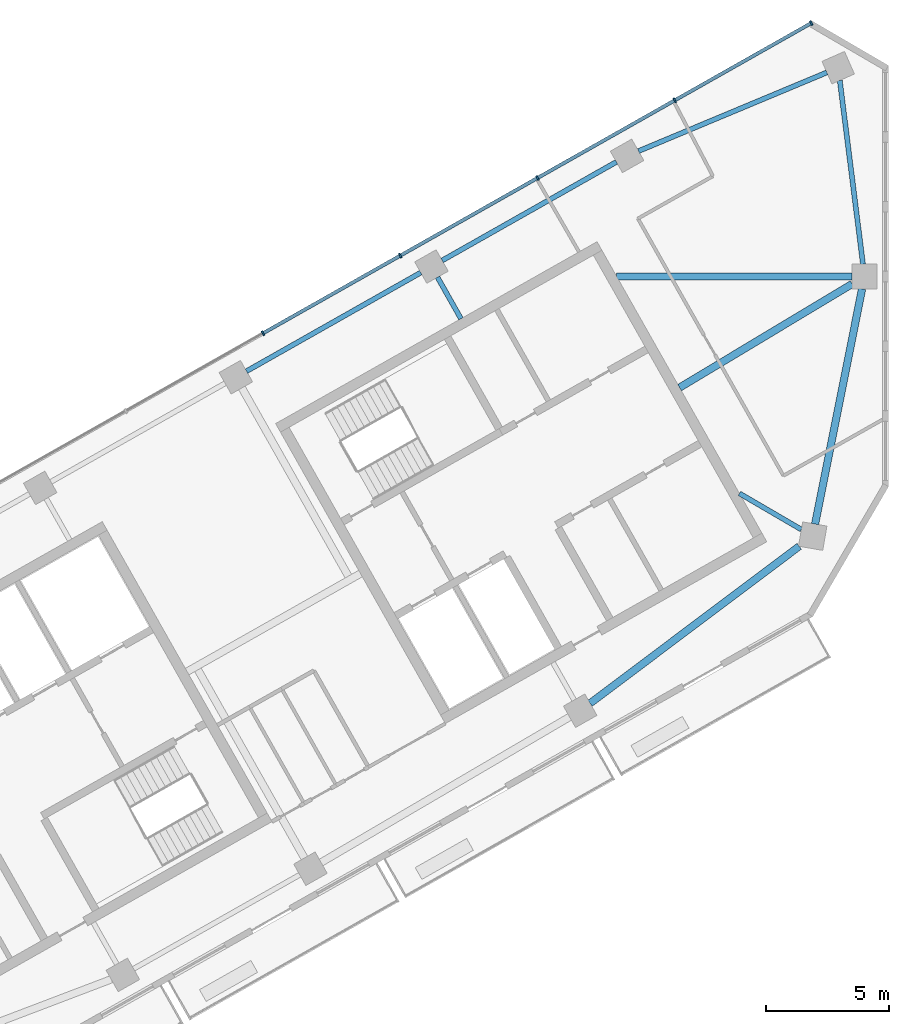
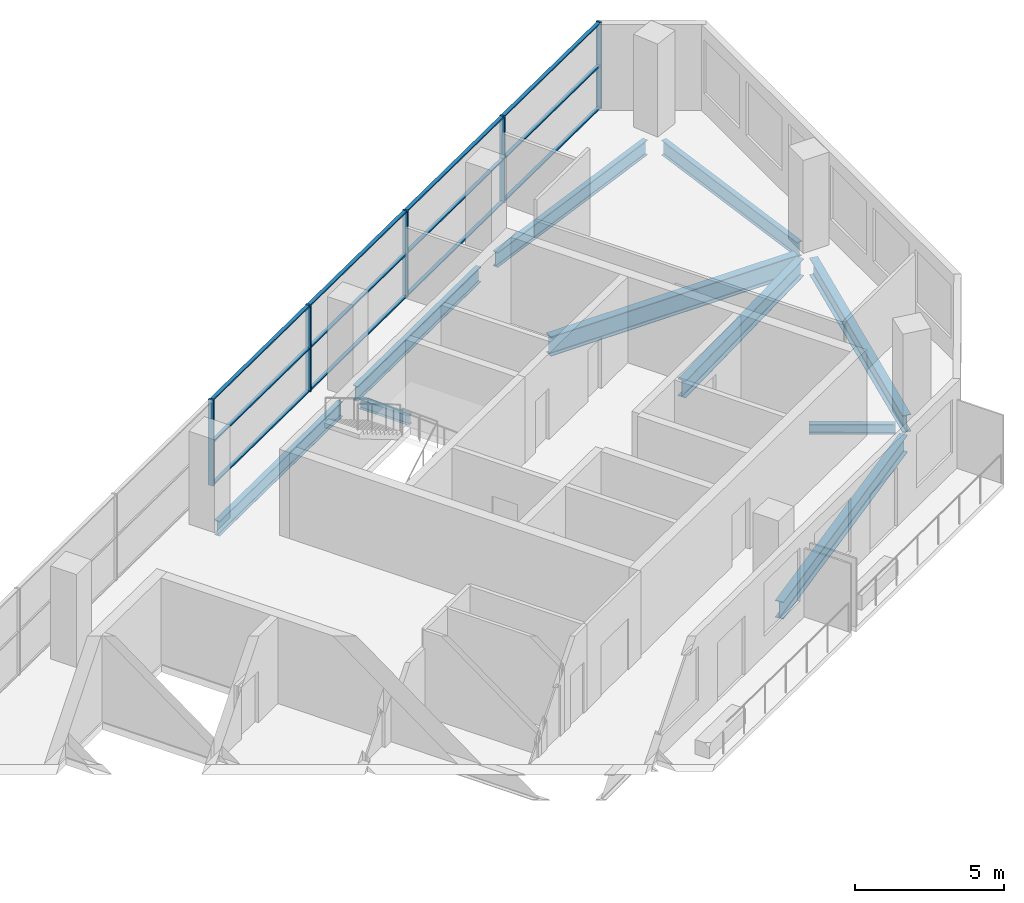
# One storey, part 4 of 10: 17 members, 10 beams, 1 element without a shape of its own.
"""IFC4 building model written with IfcOpenShell, lengths in metres."""

from ifc_helpers import new_model, si_unit, direction, frame, origin, origin_2d, place, context, subcontext, project, spatial, rectangle, i_section, extrude, material, material_profile, profile_set, type_object, element, aggregate, save


model = new_model("IFC4")

# Units and contexts
model_context = context("Model", 3, precision=1e-05, world=origin(), true_north=direction((0.0, 1.0)))
body_context = subcontext(model_context, "Body", "Model", "MODEL_VIEW")
ifc_project = project(units=[si_unit("LENGTHUNIT", "METRE"), si_unit("AREAUNIT", "SQUARE_METRE"), si_unit("VOLUMEUNIT", "CUBIC_METRE"), si_unit("PLANEANGLEUNIT", "RADIAN"), si_unit("MASSUNIT", "GRAM", prefix="KILO")], contexts=[model_context])

# Site, building, storey
site_placement = place(None, origin())
site = spatial("IfcSite", under=ifc_project, at=site_placement, CompositionType="ELEMENT")
building_placement = place(site_placement, origin())
building = spatial("IfcBuilding", under=site, at=building_placement, Name="Binnacle Exchange Tower", CompositionType="ELEMENT")
storey_placement = place(building_placement, frame((0.0, 0.0, 320.300048828125)))
storey = spatial("IfcBuildingStorey", under=building, at=storey_placement, Name="L72", CompositionType="ELEMENT", Elevation=320.300048828125)

# Curtain wall, members
ifc_material_1 = material(Name="Bronze anodised aluminium frame", Category="aluminium")
curtain_wall_type = type_object("IfcCurtainWallType", Name="External wall - curtain wall executive floors", PredefinedType="NOTDEFINED", material=ifc_material_1)
curtain_wall_placement = place(storey_placement, origin())
curtain_wall = element("IfcCurtainWall", 1, at=curtain_wall_placement, inside=storey, type_object=curtain_wall_type, Name="External wall curtain wall CW4-H03 L72", PredefinedType="NOTDEFINED")
ifc_material_profile_1 = material_profile(ifc_material_1, rectangle(XDim=0.199951171875, YDim=0.070068359375, at=origin_2d()), Name="AL 70x200")
ifc_profile_set_1 = profile_set([ifc_material_profile_1], Name="Bronze anodised aluminium frame")
member_type_1 = type_object("IfcMemberType", Name="CW4 MULLION 70x200", PredefinedType="MULLION", material=ifc_profile_set_1)
member_1_placement = place(storey_placement, frame((-3.01416015625, 70.294677734375, 0.0), z_axis=(0.0, 0.0, 1.0), x_axis=(0.492423763019, -0.870355581136, 0.0)))
member_1 = element("IfcMember", 2, at=member_1_placement, type_object=member_type_1, Name="CW4-H03 mullion 1", PredefinedType="MULLION", context=body_context, shape_type="SweptSolid", body=[
    extrude(rectangle(XDim=0.199951171875, YDim=0.070068359375, at=origin_2d()), origin(), (0.0, 0.0, 1.0), 3.52001953125),
])
member_2_placement = place(storey_placement, frame((-8.55859375, 67.15771484375, 0.0), z_axis=(0.0, 0.0, 1.0), x_axis=(0.492423763019, -0.870355581136, 0.0)))
member_2 = element("IfcMember", 3, at=member_2_placement, type_object=member_type_1, Name="CW4-H03 mullion 2", PredefinedType="MULLION", context=body_context, shape_type="SweptSolid", body=[
    extrude(rectangle(XDim=0.199951171875, YDim=0.070068359375, at=origin_2d()), origin(), (0.0, 0.0, 1.0), 3.52001953125),
])
member_3_placement = place(storey_placement, frame((-14.13330078125, 64.003662109375, 0.0), z_axis=(0.0, 0.0, 1.0), x_axis=(0.492423763019, -0.870355581136, 0.0)))
member_3 = element("IfcMember", 4, at=member_3_placement, type_object=member_type_1, Name="CW4-H03 mullion 3", PredefinedType="MULLION", context=body_context, shape_type="SweptSolid", body=[
    extrude(rectangle(XDim=0.199951171875, YDim=0.070068359375, at=origin_2d()), origin(), (0.0, 0.0, 1.0), 3.52001953125),
])
member_4_placement = place(storey_placement, frame((-19.708251953125, 60.849609375, 0.0), z_axis=(0.0, 0.0, 1.0), x_axis=(0.492423763019, -0.870355581136, 0.0)))
member_4 = element("IfcMember", 5, at=member_4_placement, type_object=member_type_1, Name="CW4-H03 mullion 4", PredefinedType="MULLION", context=body_context, shape_type="SweptSolid", body=[
    extrude(rectangle(XDim=0.199951171875, YDim=0.070068359375, at=origin_2d()), origin(), (0.0, 0.0, 1.0), 3.52001953125),
])
member_5_placement = place(storey_placement, frame((-25.283203125, 57.695556640625, 0.0), z_axis=(0.0, 0.0, 1.0), x_axis=(0.492423763019, -0.870355581136, 0.0)))
member_5 = element("IfcMember", 6, at=member_5_placement, type_object=member_type_1, Name="CW4-H03 mullion 5", PredefinedType="MULLION", context=body_context, shape_type="SweptSolid", body=[
    extrude(rectangle(XDim=0.199951171875, YDim=0.070068359375, at=origin_2d()), origin(), (0.0, 0.0, 1.0), 3.52001953125),
])
ifc_material_profile_2 = material_profile(ifc_material_1, rectangle(XDim=0.139892578125, YDim=0.050048828125, at=origin_2d()), Name="AL 140x50")
ifc_profile_set_2 = profile_set([ifc_material_profile_2], Name="Bronze anodised aluminium frame")
member_type_2 = type_object("IfcMemberType", Name="CW4 TRANSOM 50x140", PredefinedType="USERDEFINED", material=ifc_profile_set_2)
member_6_placement = place(storey_placement, frame((-3.044677734375, 70.27734375, 0.02490234375), z_axis=(-0.870359957561, -0.492416027637, 0.0), x_axis=(0.492416027637, -0.870359957561, 0.0)))
member_6 = element("IfcMember", 7, at=member_6_placement, type_object=member_type_2, Name="CW4-H03 transom 1.1", ObjectType="TRANSOM", PredefinedType="USERDEFINED", context=body_context, shape_type="SweptSolid", body=[
    extrude(rectangle(XDim=0.139892578125, YDim=0.050048828125, at=origin_2d()), origin(), (0.0, 0.0, 1.0), 6.300048828125),
])
member_7_placement = place(storey_placement, frame((-3.044677734375, 70.27734375, 1.760009765625), z_axis=(-0.870359957561, -0.492416027637, 0.0), x_axis=(0.492416027637, -0.870359957561, 0.0)))
member_7 = element("IfcMember", 8, at=member_7_placement, type_object=member_type_2, Name="CW4-H03 transom 1.2", ObjectType="TRANSOM", PredefinedType="USERDEFINED", context=body_context, shape_type="SweptSolid", body=[
    extrude(rectangle(XDim=0.139892578125, YDim=0.050048828125, at=origin_2d()), origin(), (0.0, 0.0, 1.0), 6.300048828125),
])
member_8_placement = place(storey_placement, frame((-3.044677734375, 70.27734375, 3.494873046875), z_axis=(-0.870359957561, -0.492416027637, 0.0), x_axis=(0.492416027637, -0.870359957561, 0.0)))
member_8 = element("IfcMember", 9, at=member_8_placement, type_object=member_type_2, Name="CW4-H03 transom 1.3", ObjectType="TRANSOM", PredefinedType="USERDEFINED", context=body_context, shape_type="SweptSolid", body=[
    extrude(rectangle(XDim=0.139892578125, YDim=0.050048828125, at=origin_2d()), origin(), (0.0, 0.0, 1.0), 6.300048828125),
])
member_9_placement = place(storey_placement, frame((-8.589111328125, 67.140625, 0.02490234375), z_axis=(-0.870355335808, -0.492424196633, 0.0), x_axis=(0.492424196633, -0.870355335808, 0.0)))
member_9 = element("IfcMember", 10, at=member_9_placement, type_object=member_type_2, Name="CW4-H03 transom 2.1", ObjectType="TRANSOM", PredefinedType="USERDEFINED", context=body_context, shape_type="SweptSolid", body=[
    extrude(rectangle(XDim=0.139892578125, YDim=0.050048828125, at=origin_2d()), origin(), (0.0, 0.0, 1.0), 6.335205078125),
])
member_10_placement = place(storey_placement, frame((-8.589111328125, 67.140625, 1.760009765625), z_axis=(-0.870355335808, -0.492424196633, 0.0), x_axis=(0.492424196633, -0.870355335808, 0.0)))
member_10 = element("IfcMember", 11, at=member_10_placement, type_object=member_type_2, Name="CW4-H03 transom 2.2", ObjectType="TRANSOM", PredefinedType="USERDEFINED", context=body_context, shape_type="SweptSolid", body=[
    extrude(rectangle(XDim=0.139892578125, YDim=0.050048828125, at=origin_2d()), origin(), (0.0, 0.0, 1.0), 6.335205078125),
])
member_11_placement = place(storey_placement, frame((-8.589111328125, 67.140625, 3.494873046875), z_axis=(-0.870355335808, -0.492424196633, 0.0), x_axis=(0.492424196633, -0.870355335808, 0.0)))
member_11 = element("IfcMember", 12, at=member_11_placement, type_object=member_type_2, Name="CW4-H03 transom 2.3", ObjectType="TRANSOM", PredefinedType="USERDEFINED", context=body_context, shape_type="SweptSolid", body=[
    extrude(rectangle(XDim=0.139892578125, YDim=0.050048828125, at=origin_2d()), origin(), (0.0, 0.0, 1.0), 6.335205078125),
])
member_12_placement = place(storey_placement, frame((-14.163818359375, 63.986328125, 0.02490234375), z_axis=(-0.870355335808, -0.492424196633, 0.0), x_axis=(0.492424196633, -0.870355335808, 0.0)))
member_12 = element("IfcMember", 13, at=member_12_placement, type_object=member_type_2, Name="CW4-H03 transom 3.1", ObjectType="TRANSOM", PredefinedType="USERDEFINED", context=body_context, shape_type="SweptSolid", body=[
    extrude(rectangle(XDim=0.139892578125, YDim=0.050048828125, at=origin_2d()), origin(), (0.0, 0.0, 1.0), 6.335205078125),
])
member_13_placement = place(storey_placement, frame((-14.163818359375, 63.986328125, 1.760009765625), z_axis=(-0.870355335808, -0.492424196633, 0.0), x_axis=(0.492424196633, -0.870355335808, 0.0)))
member_13 = element("IfcMember", 14, at=member_13_placement, type_object=member_type_2, Name="CW4-H03 transom 3.2", ObjectType="TRANSOM", PredefinedType="USERDEFINED", context=body_context, shape_type="SweptSolid", body=[
    extrude(rectangle(XDim=0.139892578125, YDim=0.050048828125, at=origin_2d()), origin(), (0.0, 0.0, 1.0), 6.335205078125),
])
member_14_placement = place(storey_placement, frame((-14.163818359375, 63.986328125, 3.494873046875), z_axis=(-0.870355335808, -0.492424196633, 0.0), x_axis=(0.492424196633, -0.870355335808, 0.0)))
member_14 = element("IfcMember", 15, at=member_14_placement, type_object=member_type_2, Name="CW4-H03 transom 3.3", ObjectType="TRANSOM", PredefinedType="USERDEFINED", context=body_context, shape_type="SweptSolid", body=[
    extrude(rectangle(XDim=0.139892578125, YDim=0.050048828125, at=origin_2d()), origin(), (0.0, 0.0, 1.0), 6.335205078125),
])
member_15_placement = place(storey_placement, frame((-19.73876953125, 60.832275390625, 0.02490234375), z_axis=(-0.870355335808, -0.492424196633, 0.0), x_axis=(0.492424196633, -0.870355335808, 0.0)))
member_15 = element("IfcMember", 16, at=member_15_placement, type_object=member_type_2, Name="CW4-H03 transom 4.1", ObjectType="TRANSOM", PredefinedType="USERDEFINED", context=body_context, shape_type="SweptSolid", body=[
    extrude(rectangle(XDim=0.139892578125, YDim=0.050048828125, at=origin_2d()), origin(), (0.0, 0.0, 1.0), 6.335205078125),
])
member_16_placement = place(storey_placement, frame((-19.73876953125, 60.832275390625, 1.760009765625), z_axis=(-0.870355335808, -0.492424196633, 0.0), x_axis=(0.492424196633, -0.870355335808, 0.0)))
member_16 = element("IfcMember", 17, at=member_16_placement, type_object=member_type_2, Name="CW4-H03 transom 4.2", ObjectType="TRANSOM", PredefinedType="USERDEFINED", context=body_context, shape_type="SweptSolid", body=[
    extrude(rectangle(XDim=0.139892578125, YDim=0.050048828125, at=origin_2d()), origin(), (0.0, 0.0, 1.0), 6.335205078125),
])
member_17_placement = place(storey_placement, frame((-19.73876953125, 60.832275390625, 3.494873046875), z_axis=(-0.870355335808, -0.492424196633, 0.0), x_axis=(0.492424196633, -0.870355335808, 0.0)))
member_17 = element("IfcMember", 18, at=member_17_placement, type_object=member_type_2, Name="CW4-H03 transom 4.3", ObjectType="TRANSOM", PredefinedType="USERDEFINED", context=body_context, shape_type="SweptSolid", body=[
    extrude(rectangle(XDim=0.139892578125, YDim=0.050048828125, at=origin_2d()), origin(), (0.0, 0.0, 1.0), 6.335205078125),
])
aggregate(curtain_wall, [member_1, member_2, member_3, member_4, member_5, member_6, member_7, member_8, member_9, member_10, member_11, member_12, member_13, member_14, member_15, member_16, member_17])

# Beams
ifc_material_2 = material(Name="Steel S355 (SHN355)", Category="steel")
ifc_material_profile_3 = material_profile(ifc_material_2, i_section(OverallWidth=0.200927734375, OverallDepth=0.60595703125, WebThickness=0.011962890625, FlangeThickness=0.02001953125, FilletRadius=0.02197265625, at=origin_2d()), Name="H 606x201x12x20")
ifc_profile_set_3 = profile_set([ifc_material_profile_3], Name="Steel S355 (SHN355)")
beam_type_1 = type_object("IfcBeamType", Name="Edge girder H 606x201x12x20 Steel S355 (SHN355)", PredefinedType="SPANDREL", material=ifc_profile_set_3)
beam_1_placement = place(storey_placement, frame((-0.9130859375, 60.5, -0.5830078125), z_axis=(-0.125172722987, 0.992134965325, 0.0), x_axis=(-0.992134965325, -0.125172722987, 0.0)))
element("IfcBeam", 19, at=beam_1_placement, inside=storey, type_object=beam_type_1, Name="S:BM:edge:L72:018", PredefinedType="SPANDREL", context=body_context, shape_type="SweptSolid", body=[
    extrude(i_section(OverallWidth=0.200927734375, OverallDepth=0.60595703125, WebThickness=0.011962890625, FlangeThickness=0.02001953125, FilletRadius=0.02197265625, at=origin_2d()), origin(), (0.0, 0.0, 1.0), 7.524658203125),
])
ifc_material_profile_4 = material_profile(ifc_material_2, i_section(OverallWidth=0.201904296875, OverallDepth=0.612060546875, WebThickness=0.012939453125, FlangeThickness=0.02294921875, FilletRadius=0.02197265625, at=origin_2d()), Name="H 612x202x13x23")
ifc_profile_set_4 = profile_set([ifc_material_profile_4], Name="Steel S355 (SHN355)")
beam_type_2 = type_object("IfcBeamType", Name="Edge girder H 612x202x13x23 Steel S355 (SHN355)", PredefinedType="SPANDREL", material=ifc_profile_set_4)
beam_2_placement = place(storey_placement, frame((-18.87646484375, 60.159912109375, -0.5859375), z_axis=(-0.870353024448, -0.49242828192, 0.0), x_axis=(0.49242828192, -0.870353024448, 0.0)))
element("IfcBeam", 20, at=beam_2_placement, inside=storey, type_object=beam_type_2, Name="S:BM:edge:L72:013", PredefinedType="SPANDREL", context=body_context, shape_type="SweptSolid", body=[
    extrude(i_section(OverallWidth=0.201904296875, OverallDepth=0.612060546875, WebThickness=0.012939453125, FlangeThickness=0.02294921875, FilletRadius=0.02197265625, at=origin_2d()), origin(), (0.0, 0.0, 1.0), 8.1298828125),
])
beam_3_placement = place(storey_placement, frame((-10.930419921875, 64.655517578125, -0.5859375), z_axis=(-0.870345742373, -0.492441152558, 0.0), x_axis=(0.492441152558, -0.870345742373, 0.0)))
element("IfcBeam", 21, at=beam_3_placement, inside=storey, type_object=beam_type_2, Name="S:BM:edge:L72:015", PredefinedType="SPANDREL", context=body_context, shape_type="SweptSolid", body=[
    extrude(i_section(OverallWidth=0.201904296875, OverallDepth=0.612060546875, WebThickness=0.012939453125, FlangeThickness=0.02294921875, FilletRadius=0.02197265625, at=origin_2d()), origin(), (0.0, 0.0, 1.0), 8.129638671875),
])
beam_4_placement = place(storey_placement, frame((-2.381591796875, 68.29052734375, -0.5859375), z_axis=(-0.922743712975, -0.385414115161, 0.0), x_axis=(0.385414115161, -0.922743712975, 0.0)))
element("IfcBeam", 22, at=beam_4_placement, inside=storey, type_object=beam_type_2, Name="S:BM:edge:L72:017", PredefinedType="SPANDREL", context=body_context, shape_type="SweptSolid", body=[
    extrude(i_section(OverallWidth=0.201904296875, OverallDepth=0.612060546875, WebThickness=0.012939453125, FlangeThickness=0.02294921875, FilletRadius=0.02197265625, at=origin_2d()), origin(), (0.0, 0.0, 1.0), 8.289306640625),
])
ifc_material_profile_5 = material_profile(ifc_material_2, i_section(OverallWidth=0.300048828125, OverallDepth=0.699951171875, WebThickness=0.012939453125, FlangeThickness=0.02392578125, FilletRadius=0.028076171875, at=origin_2d()), Name="H 700x300x13x24")
ifc_profile_set_5 = profile_set([ifc_material_profile_5], Name="Steel S355 (SHN355)")
beam_type_3 = type_object("IfcBeamType", Name="Edge girder H 700x300x13x24 Steel S355 (SHN355)", PredefinedType="SPANDREL", material=ifc_profile_set_5)
beam_5_placement = place(storey_placement, frame((-11.996826171875, 42.666015625, -0.630126953125), z_axis=(0.799641252976, 0.600478031687, 0.0), x_axis=(-0.600478031687, 0.799641252976, 0.0)))
element("IfcBeam", 23, at=beam_5_placement, inside=storey, type_object=beam_type_3, Name="S:BM:edge:L72:014", PredefinedType="SPANDREL", context=body_context, shape_type="SweptSolid", body=[
    extrude(i_section(OverallWidth=0.300048828125, OverallDepth=0.699951171875, WebThickness=0.012939453125, FlangeThickness=0.02392578125, FilletRadius=0.028076171875, at=origin_2d()), origin(), (0.0, 0.0, 1.0), 10.62060546875),
])
beam_6_placement = place(storey_placement, frame((-2.857421875, 49.946044921875, -0.630126953125), z_axis=(0.195812523993, 0.98064134904, 0.0), x_axis=(-0.98064134904, 0.195812523993, 0.0)))
element("IfcBeam", 24, at=beam_6_placement, inside=storey, type_object=beam_type_3, Name="S:BM:edge:L72:016", PredefinedType="SPANDREL", context=body_context, shape_type="SweptSolid", body=[
    extrude(i_section(OverallWidth=0.300048828125, OverallDepth=0.699951171875, WebThickness=0.012939453125, FlangeThickness=0.02392578125, FilletRadius=0.028076171875, at=origin_2d()), origin(), (0.0, 0.0, 1.0), 9.74267578125),
])
ifc_material_profile_6 = material_profile(ifc_material_2, i_section(OverallWidth=0.199951171875, OverallDepth=0.39990234375, WebThickness=0.008056640625, FlangeThickness=0.012939453125, FilletRadius=0.01611328125, at=origin_2d()), Name="H 400x200x8x13")
ifc_profile_set_6 = profile_set([ifc_material_profile_6], Name="Steel S355 (SHN355)")
beam_type_4 = type_object("IfcBeamType", Name="Floor beam H 400x200x8x13 Steel S355 (SHN355)", PredefinedType="BEAM", material=ifc_profile_set_6)
beam_7_placement = place(storey_placement, frame((-18.195068359375, 59.970703125, -0.47998046875), z_axis=(0.492423244016, -0.870355874773, 0.0), x_axis=(0.870355874773, 0.492423244016, 0.0)))
element("IfcBeam", 25, at=beam_7_placement, inside=storey, type_object=beam_type_4, Name="S:BM:cross:L72:026", PredefinedType="BEAM", context=body_context, shape_type="SweptSolid", body=[
    extrude(i_section(OverallWidth=0.199951171875, OverallDepth=0.39990234375, WebThickness=0.008056640625, FlangeThickness=0.012939453125, FilletRadius=0.01611328125, at=origin_2d()), origin(), (0.0, 0.0, 1.0), 1.93408203125),
])
beam_8_placement = place(storey_placement, frame((-3.416259765625, 49.72412109375, -0.47998046875), z_axis=(-0.86381235495, 0.503813671346, 0.0), x_axis=(-0.503813671346, -0.86381235495, 0.0)))
element("IfcBeam", 26, at=beam_8_placement, inside=storey, type_object=beam_type_4, Name="S:BM:cross:L72:028", PredefinedType="BEAM", context=body_context, shape_type="SweptSolid", body=[
    extrude(i_section(OverallWidth=0.199951171875, OverallDepth=0.39990234375, WebThickness=0.008056640625, FlangeThickness=0.012939453125, FilletRadius=0.01611328125, at=origin_2d()), origin(), (0.0, 0.0, 1.0), 2.911376953125),
])
ifc_material_profile_7 = material_profile(ifc_material_2, i_section(OverallWidth=0.300048828125, OverallDepth=0.800048828125, WebThickness=0.013916015625, FlangeThickness=0.02587890625, FilletRadius=0.028076171875, at=origin_2d()), Name="H 800x300x14x26")
ifc_profile_set_7 = profile_set([ifc_material_profile_7], Name="Steel S355 (SHN355)")
beam_type_5 = type_object("IfcBeamType", Name="Floor beam H 800x300x14x26 Steel S355 (SHN355)", PredefinedType="BEAM", material=ifc_profile_set_7)
beam_9_placement = place(storey_placement, frame((-1.35009765625, 60.0, -0.679931640625), z_axis=(-1.0, 0.0, 0.0), x_axis=(0.0, -1.0, 0.0)))
element("IfcBeam", 27, at=beam_9_placement, inside=storey, type_object=beam_type_5, Name="S:BM:cross:L72:029", PredefinedType="BEAM", context=body_context, shape_type="SweptSolid", body=[
    extrude(i_section(OverallWidth=0.300048828125, OverallDepth=0.800048828125, WebThickness=0.013916015625, FlangeThickness=0.02587890625, FilletRadius=0.028076171875, at=origin_2d()), origin(), (0.0, 0.0, 1.0), 9.56494140625),
])
ifc_material_profile_8 = material_profile(ifc_material_2, i_section(OverallWidth=0.300048828125, OverallDepth=0.699951171875, WebThickness=0.012939453125, FlangeThickness=0.02392578125, FilletRadius=0.028076171875, at=origin_2d()), Name="H 700x300x13x24")
ifc_profile_set_8 = profile_set([ifc_material_profile_8], Name="Steel S355 (SHN355)")
beam_type_6 = type_object("IfcBeamType", Name="Spine girder H 700x300x13x24 Steel S355 (SHN355)", PredefinedType="BEAM", material=ifc_profile_set_8)
beam_10_placement = place(storey_placement, frame((-8.36328125, 55.489990234375, -0.630126953125), z_axis=(0.857382296764, 0.514680092091, 0.0), x_axis=(-0.514680092091, 0.857382296764, 0.0)))
element("IfcBeam", 28, at=beam_10_placement, inside=storey, type_object=beam_type_6, Name="S:BM:spine:L72:003", PredefinedType="BEAM", context=body_context, shape_type="SweptSolid", body=[
    extrude(i_section(OverallWidth=0.300048828125, OverallDepth=0.699951171875, WebThickness=0.012939453125, FlangeThickness=0.02392578125, FilletRadius=0.028076171875, at=origin_2d()), origin(), (0.0, 0.0, 1.0), 8.1796875),
])

save(model, "model.ifc")
